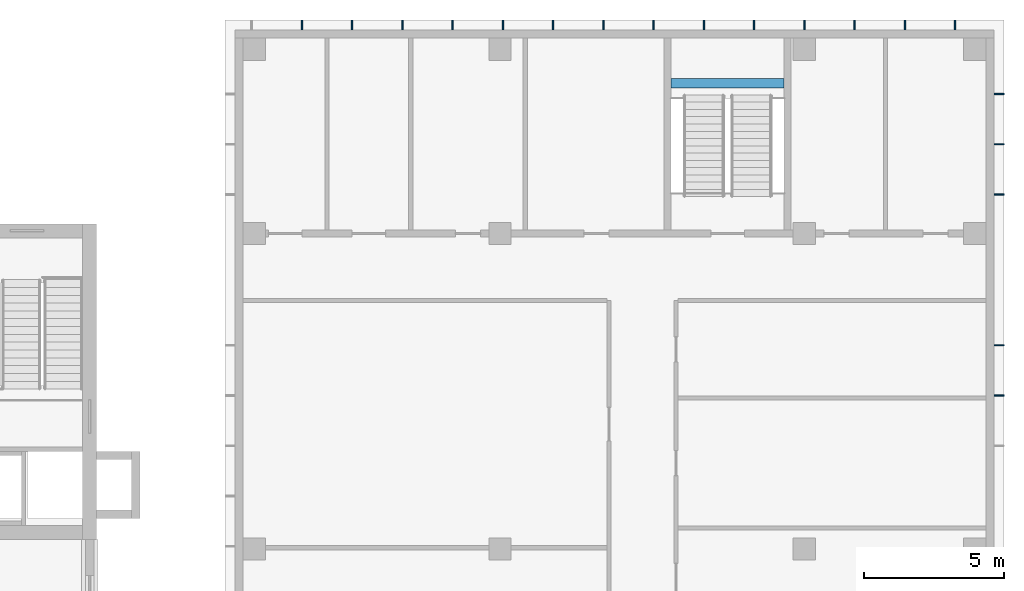
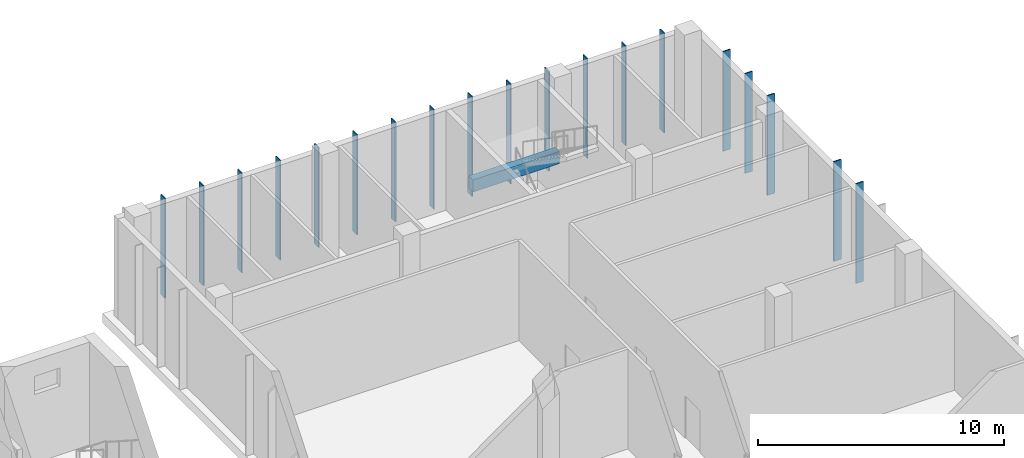
# One storey, part 12 of 32: 19 members, 1 beam.
"""IFC4 building model written with IfcOpenShell, lengths in metres."""

from ifc_helpers import new_model, si_unit, direction, frame, origin, origin_2d, place, context, subcontext, project, spatial, rectangle, extrude, material, material_profile, profile_set, type_object, element, save


model = new_model("IFC4")

# Units and contexts
model_context = context("Model", 3, precision=1e-05, world=origin(), true_north=direction((0.0, 1.0)))
body_context = subcontext(model_context, "Body", "Model", "MODEL_VIEW")
ifc_project = project(units=[si_unit("LENGTHUNIT", "METRE"), si_unit("AREAUNIT", "SQUARE_METRE"), si_unit("VOLUMEUNIT", "CUBIC_METRE"), si_unit("PLANEANGLEUNIT", "RADIAN"), si_unit("MASSUNIT", "GRAM", prefix="KILO")], contexts=[model_context])

# Site, building, storey
site_placement = place(None, origin())
site = spatial("IfcSite", under=ifc_project, at=site_placement, CompositionType="ELEMENT")
building_placement = place(site_placement, origin())
building = spatial("IfcBuilding", under=site, at=building_placement, Name="Basin Gate Institute", CompositionType="ELEMENT")
storey_placement = place(building_placement, frame((0.0, 0.0, 11.39990234375)))
storey = spatial("IfcBuildingStorey", under=building, at=storey_placement, Name="L02", CompositionType="ELEMENT", Elevation=11.39990234375)

# Beam
ifc_material_1 = material(Name="Concrete 40 MPa", Category="concrete")
ifc_material_profile_1 = material_profile(ifc_material_1, rectangle(XDim=0.35009765625, YDim=0.60009765625, at=origin_2d()), Name="Beam B4 350 x 600")
ifc_profile_set_1 = profile_set([ifc_material_profile_1], Name="Concrete 40 MPa")
beam_type = type_object("IfcBeamType", Name="Beam B4 R180", PredefinedType="BEAM", material=ifc_profile_set_1)
beam_placement = place(storey_placement, frame((139.625, 105.183837890625, 2.2001953125), z_axis=(1.0, 0.0, 0.0), x_axis=(0.0, 1.0, 0.0)))
element("IfcBeam", 1, at=beam_placement, inside=storey, type_object=beam_type, material=ifc_profile_set_1, Name="Stair landing beam ST-C7 L02", PredefinedType="BEAM", context=body_context, shape_type="SweptSolid", body=[
    extrude(rectangle(XDim=0.35009765625, YDim=0.60009765625, at=origin_2d()), origin(), (0.0, 0.0, 1.0), 4.050048828125),
])

# Members
ifc_material_2 = material(Name="Anodised aluminium", Category="aluminium")
ifc_material_profile_2 = material_profile(ifc_material_2, rectangle(XDim=0.050048828125, YDim=0.35009765625, at=origin_2d()), Name="Louvre fin CF1 50 x 350")
ifc_profile_set_2 = profile_set([ifc_material_profile_2], Name="Anodised aluminium")
member_type = type_object("IfcMemberType", Name="Louvre fin CF1", PredefinedType="PLATE", material=ifc_profile_set_2)
for number, where, z_axis, x_axis, name in (
    (2, (126.39990234375, 107.27490234375, 0.0), (0.0, 0.0, 1.0), (1.0, 0.0, 0.0), "Louvre fin CF1 N2 L02"),
    (3, (128.199951171875, 107.27490234375, 0.0), (0.0, 0.0, 1.0), (1.0, 0.0, 0.0), "Louvre fin CF1 N3 L02"),
    (4, (130.0, 107.27490234375, 0.0), (0.0, 0.0, 1.0), (1.0, 0.0, 0.0), "Louvre fin CF1 N4 L02"),
    (5, (131.800048828125, 107.27490234375, 0.0), (0.0, 0.0, 1.0), (1.0, 0.0, 0.0), "Louvre fin CF1 N5 L02"),
    (6, (133.60009765625, 107.27490234375, 0.0), (0.0, 0.0, 1.0), (1.0, 0.0, 0.0), "Louvre fin CF1 N6 L02"),
    (7, (135.39990234375, 107.27490234375, 0.0), (0.0, 0.0, 1.0), (1.0, 0.0, 0.0), "Louvre fin CF1 N7 L02"),
    (8, (137.199951171875, 107.27490234375, 0.0), (0.0, 0.0, 1.0), (1.0, 0.0, 0.0), "Louvre fin CF1 N8 L02"),
    (9, (139.0, 107.27490234375, 0.0), (0.0, 0.0, 1.0), (1.0, 0.0, 0.0), "Louvre fin CF1 N9 L02"),
    (10, (140.800048828125, 107.27490234375, 0.0), (0.0, 0.0, 1.0), (1.0, 0.0, 0.0), "Louvre fin CF1 N10 L02"),
    (11, (142.60009765625, 107.27490234375, 0.0), (0.0, 0.0, 1.0), (1.0, 0.0, 0.0), "Louvre fin CF1 N11 L02"),
    (12, (144.39990234375, 107.27490234375, 0.0), (0.0, 0.0, 1.0), (1.0, 0.0, 0.0), "Louvre fin CF1 N12 L02"),
    (13, (146.199951171875, 107.27490234375, 0.0), (0.0, 0.0, 1.0), (1.0, 0.0, 0.0), "Louvre fin CF1 N13 L02"),
    (14, (148.0, 107.27490234375, 0.0), (0.0, 0.0, 1.0), (1.0, 0.0, 0.0), "Louvre fin CF1 N14 L02"),
    (15, (149.800048828125, 107.27490234375, 0.0), (0.0, 0.0, 1.0), (1.0, 0.0, 0.0), "Louvre fin CF1 N15 L02"),
    (16, (151.375, 94.0, 0.0), (0.0, 0.0, 1.0), (0.0, 1.0, 0.0), "Louvre fin CF1 E14 L02"),
    (17, (151.375, 95.800048828125, 0.0), (0.0, 0.0, 1.0), (0.0, 1.0, 0.0), "Louvre fin CF1 E15 L02"),
    (18, (151.375, 101.199951171875, 0.0), (0.0, 0.0, 1.0), (0.0, 1.0, 0.0), "Louvre fin CF1 E18 L02"),
    (19, (151.375, 103.0, 0.0), (0.0, 0.0, 1.0), (0.0, 1.0, 0.0), "Louvre fin CF1 E19 L02"),
    (20, (151.375, 104.800048828125, 0.0), (0.0, 0.0, 1.0), (0.0, 1.0, 0.0), "Louvre fin CF1 E20 L02"),
):
    element("IfcMember", number, at=place(storey_placement, frame(where, z_axis=z_axis, x_axis=x_axis)), inside=storey, type_object=member_type, material=ifc_profile_set_2, Name=name, PredefinedType="PLATE", context=body_context, shape_type="SweptSolid", body=[
        extrude(rectangle(XDim=0.050048828125, YDim=0.35009765625, at=origin_2d()), origin(), (0.0, 0.0, 1.0), 4.9501953125),
    ])

save(model, "model.ifc")
